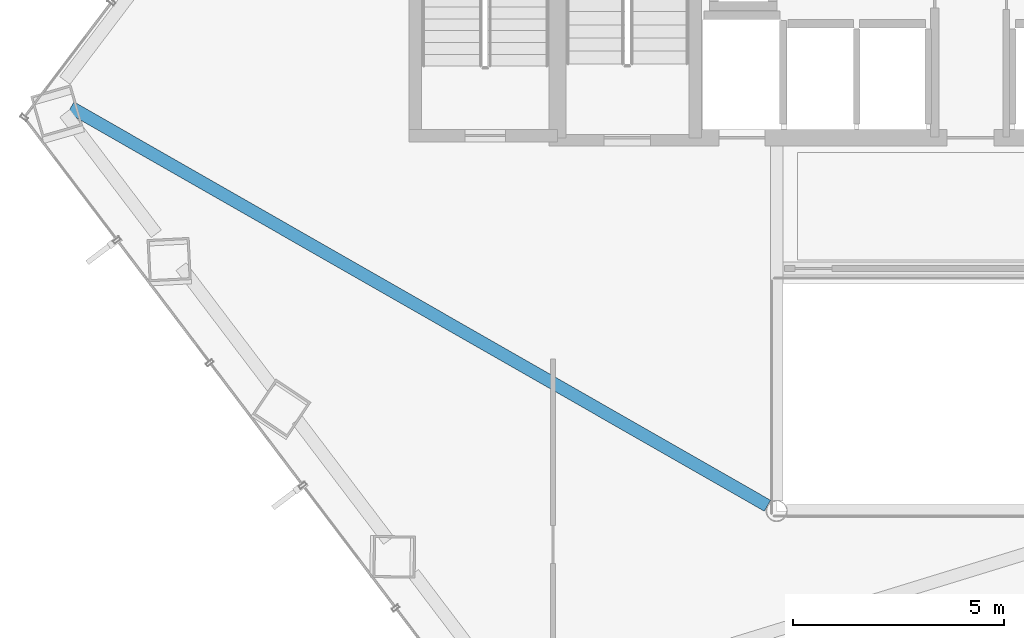
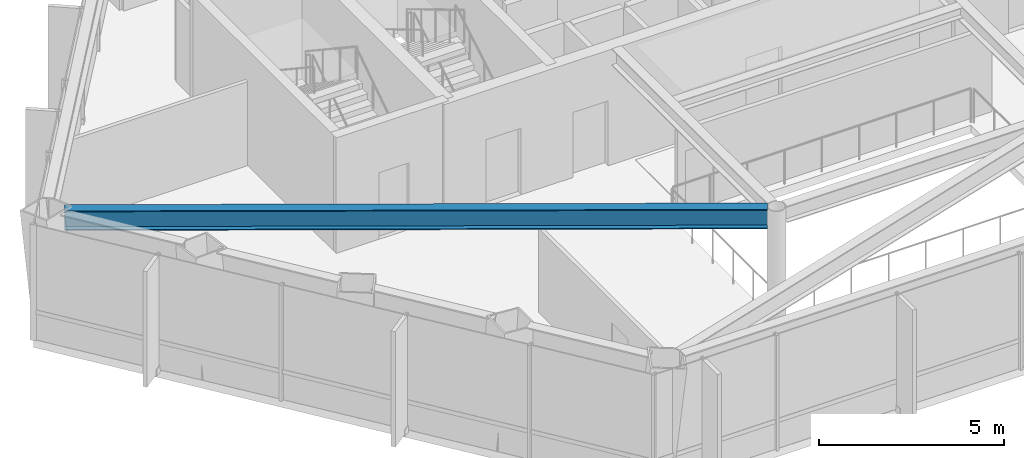
# One storey, part 4 of 26: 1 beam.
"""IFC4 building model written with IfcOpenShell, lengths in metres."""

from ifc_helpers import new_model, si_unit, direction, frame, origin, origin_2d, place, context, subcontext, project, spatial, i_section, extrude, material, material_profile, profile_set, type_object, element, save


model = new_model("IFC4")

# Units and contexts
model_context = context("Model", 3, precision=1e-05, world=origin(), true_north=direction((0.0, 1.0)))
body_context = subcontext(model_context, "Body", "Model", "MODEL_VIEW")
ifc_project = project(units=[si_unit("LENGTHUNIT", "METRE"), si_unit("AREAUNIT", "SQUARE_METRE"), si_unit("VOLUMEUNIT", "CUBIC_METRE"), si_unit("PLANEANGLEUNIT", "RADIAN"), si_unit("MASSUNIT", "GRAM", prefix="KILO")], contexts=[model_context])

# Site, building, storey
site_placement = place(None, origin())
site = spatial("IfcSite", under=ifc_project, at=site_placement, CompositionType="ELEMENT")
building_placement = place(site_placement, origin())
building = spatial("IfcBuilding", under=site, at=building_placement, Name="Zarrinselat Tower", CompositionType="ELEMENT")
storey_placement = place(building_placement, frame((0.0, 0.0, 35.699951171875)))
storey = spatial("IfcBuildingStorey", under=building, at=storey_placement, Name="L08", CompositionType="ELEMENT", Elevation=35.699951171875)

# Beam
ifc_material = material(Name="Steel S355J2", Category="steel")
ifc_material_profile = material_profile(ifc_material, i_section(OverallWidth=0.300048828125, OverallDepth=0.64990234375, WebThickness=0.01611328125, FlangeThickness=0.031005859375, at=origin_2d()), Name="HEB 650")
ifc_profile_set = profile_set([ifc_material_profile], Name="Steel S355J2")
beam_type = type_object("IfcBeamType", Name="BM-HEB650", PredefinedType="BEAM", material=ifc_profile_set)
beam_placement = place(storey_placement, frame((17.06298828125, 33.9716796875, 3.4951171875), z_axis=(0.868073356466, -0.496435945307, 0.0), x_axis=(0.496435945307, 0.868073356466, 0.0)))
element("IfcBeam", 1, at=beam_placement, inside=storey, type_object=beam_type, Name="L08 Radial Primary Girder RG06", PredefinedType="BEAM", context=body_context, shape_type="SweptSolid", body=[
    extrude(i_section(OverallWidth=0.300048828125, OverallDepth=0.64990234375, WebThickness=0.01611328125, FlangeThickness=0.031005859375, at=origin_2d()), origin(), (0.0, 0.0, 1.0), 19.03076171875),
])

save(model, "model.ifc")
